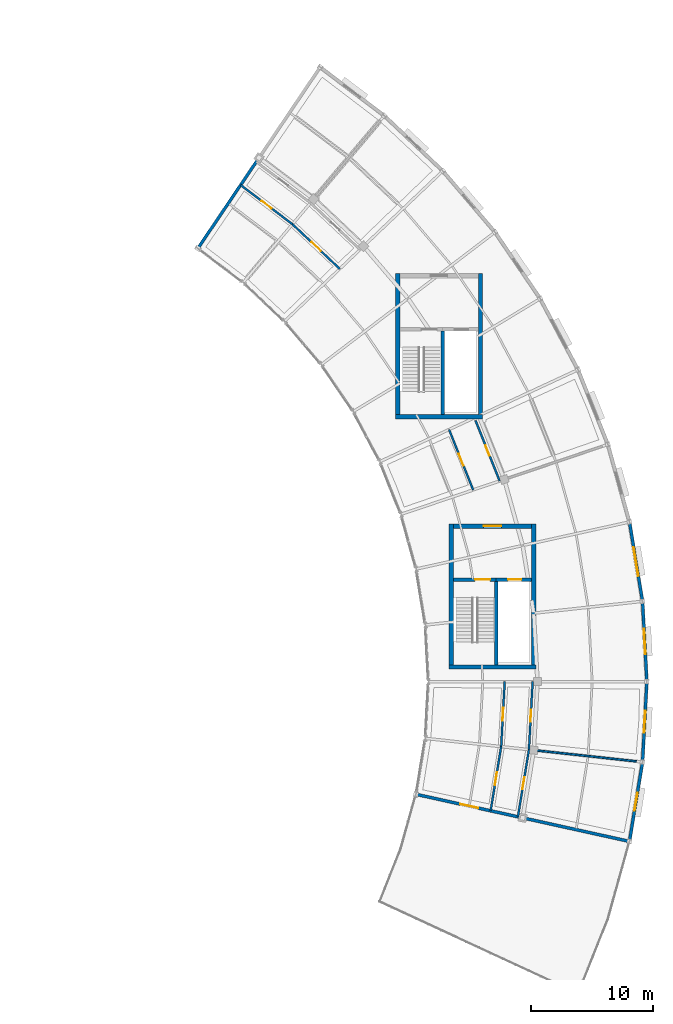
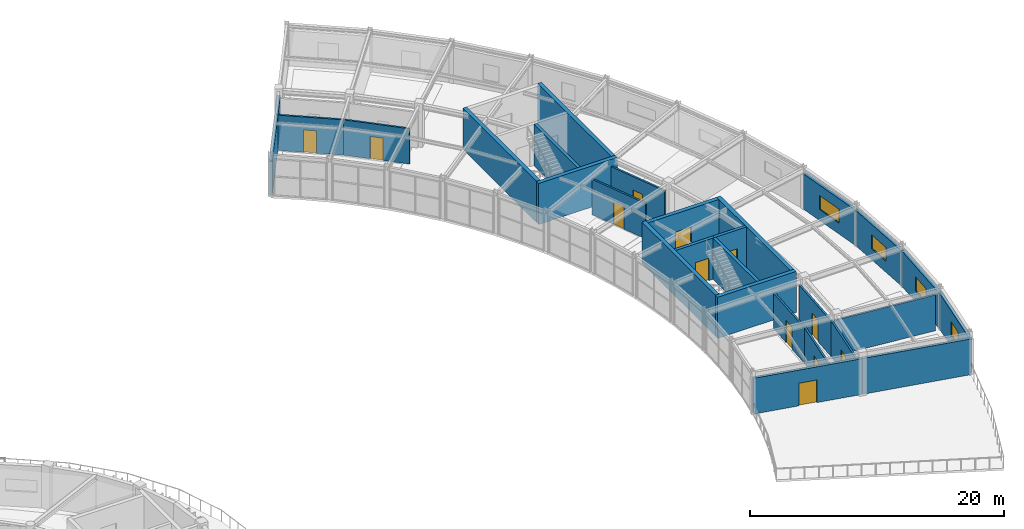
# One storey, part 49 of 63: 27 walls, 12 doors, 4 windows, 16 openings.
"""IFC4 building model written with IfcOpenShell, lengths in metres."""

from ifc_helpers import new_model, si_unit, direction, frame, frame_2d, origin, place, context, subcontext, project, spatial, rectangle, extrude, material, layer, layer_set, type_object, element, fill, save


model = new_model("IFC4")

# Units and contexts
model_context = context("Model", 3, precision=1e-05, world=origin(), true_north=direction((0.0, 1.0)))
body_context = subcontext(model_context, "Body", "Model", "MODEL_VIEW")
ifc_project = project(units=[si_unit("LENGTHUNIT", "METRE"), si_unit("AREAUNIT", "SQUARE_METRE"), si_unit("VOLUMEUNIT", "CUBIC_METRE"), si_unit("PLANEANGLEUNIT", "RADIAN"), si_unit("MASSUNIT", "GRAM", prefix="KILO")], contexts=[model_context])

# Site, building, storey
site_placement = place(None, origin())
site = spatial("IfcSite", under=ifc_project, at=site_placement, CompositionType="ELEMENT")
building_placement = place(site_placement, origin())
building = spatial("IfcBuilding", under=site, at=building_placement, Name="Tarnveldt Headland Concert Hall", CompositionType="ELEMENT")
storey_placement = place(building_placement, frame((0.0, 0.0, 14.39990234375)))
storey = spatial("IfcBuildingStorey", under=building, at=storey_placement, Name="L03", CompositionType="ELEMENT", Elevation=14.39990234375)

# Walls
ifc_material_1 = material(Name="Concrete C40/50", Category="concrete")
ifc_layer_1 = layer(ifc_material_1, 0.35009765625, Name="Concrete C40/50", Category="concrete")
ifc_layer_set_1 = layer_set([ifc_layer_1], Name="Concrete C40/50")
wall_type_1 = type_object("IfcWallType", Name="WL-CR350", PredefinedType="SHEAR", material=ifc_layer_set_1)
wall_1_placement = place(storey_placement, frame((157.824951171875, 81.800048828125, 0.0), z_axis=(0.0, 0.0, 1.0), x_axis=(1.0, 0.0, 0.0)))
element("IfcWall", 1, at=wall_1_placement, inside=storey, type_object=wall_type_1, Name="Core C3 south shear wall L03", PredefinedType="SHEAR", context=body_context, shape_type="SweptSolid", body=[
    extrude(rectangle(XDim=7.150146484375, YDim=0.35009765625, at=frame_2d((3.5751953125, 0.0))), origin(), (0.0, 0.0, 1.0), 3.960205078125),
])
for number, where, z_axis, x_axis, name in (
    (2, (158.0, 81.97509765625, 0.0), (0.0, 0.0, 1.0), (0.0, 1.0, 0.0), "Core C3 west shear wall L03"),
    (3, (164.800048828125, 81.97509765625, 0.0), (0.0, 0.0, 1.0), (0.0, 1.0, 0.0), "Core C3 east shear wall L03"),
):
    element("IfcWall", number, at=place(storey_placement, frame(where, z_axis=z_axis, x_axis=x_axis)), inside=storey, type_object=wall_type_1, Name=name, PredefinedType="SHEAR", context=body_context, shape_type="SweptSolid", body=[
        extrude(rectangle(XDim=11.599853515625, YDim=0.35009765625, at=frame_2d((5.7998046875, 0.0))), origin(), (0.0, 0.0, 1.0), 3.960205078125),
    ])
wall_2_placement = place(storey_placement, frame((162.22509765625, 61.199951171875, 0.0), z_axis=(0.0, 0.0, 1.0), x_axis=(1.0, 0.0, 0.0)))
element("IfcWall", 4, at=wall_2_placement, inside=storey, type_object=wall_type_1, Name="Core C4 south shear wall L03", PredefinedType="SHEAR", context=body_context, shape_type="SweptSolid", body=[
    extrude(rectangle(XDim=7.14990234375, YDim=0.35009765625, at=frame_2d((3.574951171875, 0.0))), origin(), (0.0, 0.0, 1.0), 3.960205078125),
])

# Wall, opening, door
wall_3_placement = place(storey_placement, frame((162.574951171875, 72.800048828125, 0.0), z_axis=(0.0, 0.0, 1.0), x_axis=(1.0, 0.0, 0.0)))
wall_3 = element("IfcWall", 5, at=wall_3_placement, inside=storey, type_object=wall_type_1, Name="Core C4 north shear wall L03", PredefinedType="SHEAR", context=body_context, shape_type="SweptSolid", body=[
    extrude(rectangle(XDim=6.449951171875, YDim=0.35009765625, at=frame_2d((3.22509765625, 0.0))), origin(), (0.0, 0.0, 1.0), 3.960205078125),
])
opening_1_placement = place(wall_3_placement, frame((2.5, 0.0, 0.0)))
opening_1 = element("IfcOpeningElement", 6, at=opening_1_placement, cuts=wall_3, Name="Opening LBD-C4-L03", PredefinedType="OPENING", context=body_context, shape_type="SweptSolid", body=[
    extrude(rectangle(XDim=1.449951171875, YDim=2.199951171875, at=frame_2d((0.72509765625, 1.10009765625))), frame((0.0, 0.18505859375, 0.0), z_axis=(0.0, -1.0, 0.0), x_axis=(1.0, 0.0, 0.0)), (0.0, 0.0, 1.0), 0.3701171875),
])
ifc_material_2 = material(Name="Galvanised painted steel sheet", Category="steel")
door_type_1 = type_object("IfcDoorType", Name="DR-LB145", OperationType="NOTDEFINED", PredefinedType="DOOR", material=ifc_material_2)
door_1_placement = place(opening_1_placement, origin())
door_1 = element("IfcDoor", 7, at=door_1_placement, inside=storey, type_object=door_type_1, Name="Core C4 lobby entrance door L03", OperationType="SINGLE_SWING_RIGHT", OverallHeight=2.199951171875, OverallWidth=1.449951171875, PredefinedType="DOOR", context=body_context, shape_type="SweptSolid", body=[
    extrude(rectangle(XDim=1.449951171875, YDim=2.199951171875, at=frame_2d((0.72509765625, 1.10009765625))), frame((0.0, 0.02490234375, 0.0), z_axis=(0.0, -1.0, 0.0), x_axis=(1.0, 0.0, 0.0)), (0.0, 0.0, 1.0), 0.050048828125),
])
fill(opening_1, door_1)

# Walls
for number, where, z_axis, x_axis, name in (
    (8, (162.39990234375, 61.375, 0.0), (0.0, 0.0, 1.0), (0.0, 1.0, 0.0), "Core C4 west shear wall L03"),
    (9, (169.199951171875, 61.375, 0.0), (0.0, 0.0, 1.0), (0.0, 1.0, 0.0), "Core C4 east shear wall L03"),
):
    element("IfcWall", number, at=place(storey_placement, frame(where, z_axis=z_axis, x_axis=x_axis)), inside=storey, type_object=wall_type_1, Name=name, PredefinedType="SHEAR", context=body_context, shape_type="SweptSolid", body=[
        extrude(rectangle(XDim=11.60009765625, YDim=0.35009765625, at=frame_2d((5.800048828125, 0.0))), origin(), (0.0, 0.0, 1.0), 3.960205078125),
    ])

# Wall, opening, window
ifc_material_3 = material(Name="Coral-toned precast concrete C40/50", Category="concrete")
ifc_layer_2 = layer(ifc_material_3, 0.25, Name="Coral-toned precast concrete C40/50", Category="concrete")
ifc_layer_set_2 = layer_set([ifc_layer_2], Name="Coral-toned precast concrete C40/50")
wall_type_2 = type_object("IfcWallType", Name="WL-EX250", PredefinedType="SOLIDWALL", material=ifc_layer_set_2)
wall_4_placement = place(storey_placement, frame((178.137451171875, 53.368896484375, 0.0), z_axis=(0.0, 0.0, 1.0), x_axis=(-0.162178892589, -0.986761372774, 0.0)))
wall_4 = element("IfcWall", 10, at=wall_4_placement, inside=storey, type_object=wall_type_2, Name="External precast wall L03-148", PredefinedType="SOLIDWALL", context=body_context, shape_type="SweptSolid", body=[
    extrude(rectangle(XDim=6.58154296875, YDim=0.25, at=frame_2d((3.290771484375, 0.0))), origin(), (0.0, 0.0, 1.0), 3.443115234375),
])
opening_2_placement = place(wall_4_placement, frame((2.540771484375, 0.0, 1.050048828125)))
opening_2 = element("IfcOpeningElement", 11, at=opening_2_placement, cuts=wall_4, Name="Opening W-C070", PredefinedType="OPENING", context=body_context, shape_type="SweptSolid", body=[
    extrude(rectangle(XDim=1.5, YDim=1.35009765625, at=frame_2d((0.75, 0.675048828125))), frame((0.0, 0.135009765625, 0.0), z_axis=(0.0, -1.0, 0.0), x_axis=(1.0, 0.0, 0.0)), (0.0, 0.0, 1.0), 0.27001953125),
])
ifc_material_4 = material(Name="Acoustic laminated low-iron double glazing", Category="glass")
window_type_1 = type_object("IfcWindowType", Name="WN-17", PartitioningType="SINGLE_PANEL", PredefinedType="WINDOW", material=ifc_material_4)
window_1_placement = place(opening_2_placement, origin())
window_1 = element("IfcWindow", 12, at=window_1_placement, inside=storey, type_object=window_type_1, Name="Crescent coastal studio window L03-8", OverallHeight=1.35009765625, OverallWidth=1.5, PartitioningType="SINGLE_PANEL", PredefinedType="WINDOW", context=body_context, shape_type="SweptSolid", body=[
    extrude(rectangle(XDim=1.5, YDim=1.35009765625, at=frame_2d((0.75, 0.675048828125))), frame((0.0, 0.030029296875, 0.0), z_axis=(0.0, -1.0, 0.0), x_axis=(1.0, 0.0, 0.0)), (0.0, 0.0, 1.0), 0.06005859375),
])
fill(opening_2, window_1)

wall_5_placement = place(storey_placement, frame((178.498779296875, 59.97998046875, 0.0), z_axis=(0.0, 0.0, 1.0), x_axis=(-0.05427216263, -0.998526180109, 0.0)))
wall_5 = element("IfcWall", 13, at=wall_5_placement, inside=storey, type_object=wall_type_2, Name="External precast wall L03-149", PredefinedType="SOLIDWALL", context=body_context, shape_type="SweptSolid", body=[
    extrude(rectangle(XDim=6.581298828125, YDim=0.25, at=frame_2d((3.29052734375, 0.0))), origin(), (0.0, 0.0, 1.0), 3.398193359375),
])
opening_3_placement = place(wall_5_placement, frame((2.390625, 0.0, 1.050048828125)))
opening_3 = element("IfcOpeningElement", 14, at=opening_3_placement, cuts=wall_5, Name="Opening W-C071", PredefinedType="OPENING", context=body_context, shape_type="SweptSolid", body=[
    extrude(rectangle(XDim=1.800048828125, YDim=1.35009765625, at=frame_2d((0.89990234375, 0.675048828125))), frame((0.0, 0.135009765625, 0.0), z_axis=(0.0, -1.0, 0.0), x_axis=(1.0, 0.0, 0.0)), (0.0, 0.0, 1.0), 0.27001953125),
])
window_type_2 = type_object("IfcWindowType", Name="WN-18", PartitioningType="SINGLE_PANEL", PredefinedType="WINDOW", material=ifc_material_4)
window_2_placement = place(opening_3_placement, origin())
window_2 = element("IfcWindow", 15, at=window_2_placement, inside=storey, type_object=window_type_2, Name="Crescent coastal studio window L03-9", OverallHeight=1.35009765625, OverallWidth=1.800048828125, PartitioningType="SINGLE_PANEL", PredefinedType="WINDOW", context=body_context, shape_type="SweptSolid", body=[
    extrude(rectangle(XDim=1.800048828125, YDim=1.35009765625, at=frame_2d((0.89990234375, 0.675048828125))), frame((0.0, 0.030029296875, 0.0), z_axis=(0.0, -1.0, 0.0), x_axis=(1.0, 0.0, 0.0)), (0.0, 0.0, 1.0), 0.06005859375),
])
fill(opening_3, window_2)

wall_6_placement = place(storey_placement, frame((178.1416015625, 66.591552734375, 0.0), z_axis=(0.0, 0.0, 1.0), x_axis=(0.05427216263, -0.998526180109, 0.0)))
wall_6 = element("IfcWall", 16, at=wall_6_placement, inside=storey, type_object=wall_type_2, Name="External precast wall L03-150", PredefinedType="SOLIDWALL", context=body_context, shape_type="SweptSolid", body=[
    extrude(rectangle(XDim=6.581298828125, YDim=0.25, at=frame_2d((3.29052734375, 0.0))), origin(), (0.0, 0.0, 1.0), 3.398193359375),
])
opening_4_placement = place(wall_6_placement, frame((2.240478515625, 0.0, 1.050048828125)))
opening_4 = element("IfcOpeningElement", 17, at=opening_4_placement, cuts=wall_6, Name="Opening W-C072", PredefinedType="OPENING", context=body_context, shape_type="SweptSolid", body=[
    extrude(rectangle(XDim=2.10009765625, YDim=1.35009765625, at=frame_2d((1.050048828125, 0.675048828125))), frame((0.0, 0.135009765625, 0.0), z_axis=(0.0, -1.0, 0.0), x_axis=(1.0, 0.0, 0.0)), (0.0, 0.0, 1.0), 0.27001953125),
])
window_type_3 = type_object("IfcWindowType", Name="WN-19", PartitioningType="SINGLE_PANEL", PredefinedType="WINDOW", material=ifc_material_4)
window_3_placement = place(opening_4_placement, origin())
window_3 = element("IfcWindow", 18, at=window_3_placement, inside=storey, type_object=window_type_3, Name="Crescent coastal studio window L03-10", OverallHeight=1.35009765625, OverallWidth=2.10009765625, PartitioningType="SINGLE_PANEL", PredefinedType="WINDOW", context=body_context, shape_type="SweptSolid", body=[
    extrude(rectangle(XDim=2.10009765625, YDim=1.35009765625, at=frame_2d((1.050048828125, 0.675048828125))), frame((0.0, 0.030029296875, 0.0), z_axis=(0.0, -1.0, 0.0), x_axis=(1.0, 0.0, 0.0)), (0.0, 0.0, 1.0), 0.06005859375),
])
fill(opening_4, window_3)

wall_7_placement = place(storey_placement, frame((177.070068359375, 73.12548828125, 0.0), z_axis=(0.0, 0.0, 1.0), x_axis=(0.162178892589, -0.986761372774, 0.0)))
wall_7 = element("IfcWall", 19, at=wall_7_placement, inside=storey, type_object=wall_type_2, Name="External precast wall L03-151", PredefinedType="SOLIDWALL", context=body_context, shape_type="SweptSolid", body=[
    extrude(rectangle(XDim=6.58154296875, YDim=0.25, at=frame_2d((3.290771484375, 0.0))), origin(), (0.0, 0.0, 1.0), 3.398193359375),
])
opening_5_placement = place(wall_7_placement, frame((2.0908203125, 0.0, 1.050048828125)))
opening_5 = element("IfcOpeningElement", 20, at=opening_5_placement, cuts=wall_7, Name="Opening W-C073", PredefinedType="OPENING", context=body_context, shape_type="SweptSolid", body=[
    extrude(rectangle(XDim=2.39990234375, YDim=1.35009765625, at=frame_2d((1.199951171875, 0.675048828125))), frame((0.0, 0.135009765625, 0.0), z_axis=(0.0, -1.0, 0.0), x_axis=(1.0, 0.0, 0.0)), (0.0, 0.0, 1.0), 0.27001953125),
])
window_type_4 = type_object("IfcWindowType", Name="WN-20", PartitioningType="SINGLE_PANEL", PredefinedType="WINDOW", material=ifc_material_4)
window_4_placement = place(opening_5_placement, origin())
window_4 = element("IfcWindow", 21, at=window_4_placement, inside=storey, type_object=window_type_4, Name="Crescent coastal studio window L03-11", OverallHeight=1.35009765625, OverallWidth=2.39990234375, PartitioningType="SINGLE_PANEL", PredefinedType="WINDOW", context=body_context, shape_type="SweptSolid", body=[
    extrude(rectangle(XDim=2.39990234375, YDim=1.35009765625, at=frame_2d((1.199951171875, 0.675048828125))), frame((0.0, 0.030029296875, 0.0), z_axis=(0.0, -1.0, 0.0), x_axis=(1.0, 0.0, 0.0)), (0.0, 0.0, 1.0), 0.06005859375),
])
fill(opening_5, window_4)

# Wall, opening, door
wall_8_placement = place(storey_placement, frame((168.2587890625, 48.798583984375, 0.0), z_axis=(0.0, 0.0, 1.0), x_axis=(-0.976503371234, 0.215502125205, 0.0)))
wall_8 = element("IfcWall", 22, at=wall_8_placement, inside=storey, type_object=wall_type_2, Name="External precast wall L03-159", PredefinedType="SOLIDWALL", context=body_context, shape_type="SweptSolid", body=[
    extrude(rectangle(XDim=8.9599609375, YDim=0.25, at=frame_2d((4.47998046875, 0.0))), origin(), (0.0, 0.0, 1.0), 3.443115234375),
])
opening_6_placement = place(wall_8_placement, frame((3.72998046875, 0.0, 0.0)))
opening_6 = element("IfcOpeningElement", 23, at=opening_6_placement, cuts=wall_8, Name="Opening TD-C3", PredefinedType="OPENING", context=body_context, shape_type="SweptSolid", body=[
    extrude(rectangle(XDim=1.5, YDim=2.179931640625, at=frame_2d((0.75, 1.08984375))), frame((0.0, 0.135009765625, 0.0), z_axis=(0.0, -1.0, 0.0), x_axis=(1.0, 0.0, 0.0)), (0.0, 0.0, 1.0), 0.27001953125),
])
ifc_material_5 = material(Name="Marine-anodised aluminium EN AW-6063-T6", Category="aluminium")
door_type_2 = type_object("IfcDoorType", Name="DR-TR150", OperationType="NOTDEFINED", PredefinedType="DOOR", material=ifc_material_5)
door_2_placement = place(opening_6_placement, origin())
door_2 = element("IfcDoor", 24, at=door_2_placement, inside=storey, type_object=door_type_2, Name="Crescent coastal terrace door L03", OperationType="SINGLE_SWING_LEFT", OverallHeight=2.179931640625, OverallWidth=1.5, PredefinedType="DOOR", context=body_context, shape_type="SweptSolid", body=[
    extrude(rectangle(XDim=1.5, YDim=2.179931640625, at=frame_2d((0.75, 1.08984375))), frame((0.0, 0.02490234375, 0.0), z_axis=(0.0, -1.0, 0.0), x_axis=(1.0, 0.0, 0.0)), (0.0, 0.0, 1.0), 0.050048828125),
])
fill(opening_6, door_2)

# Walls
wall_9_placement = place(storey_placement, frame((177.04736328125, 46.859130859375, 0.0), z_axis=(0.0, 0.0, 1.0), x_axis=(-0.976503371234, 0.215502125205, 0.0)))
element("IfcWall", 25, at=wall_9_placement, inside=storey, type_object=wall_type_2, Name="External precast wall L03-160", PredefinedType="SOLIDWALL", context=body_context, shape_type="SweptSolid", body=[
    extrude(rectangle(XDim=8.9599609375, YDim=0.25, at=frame_2d((4.47998046875, 0.0))), origin(), (0.0, 0.0, 1.0), 3.443115234375),
])
wall_10_placement = place(storey_placement, frame((141.556396484375, 95.665283203125, 0.0), z_axis=(0.0, 0.0, 1.0), x_axis=(0.559200466777, 0.829032470991, 0.0)))
element("IfcWall", 26, at=wall_10_placement, inside=storey, type_object=wall_type_2, Name="External precast wall L03-161", PredefinedType="SOLIDWALL", context=body_context, shape_type="SweptSolid", body=[
    extrude(rectangle(XDim=8.960205078125, YDim=0.25, at=frame_2d((4.47998046875, 0.0))), origin(), (0.0, 0.0, 1.0), 3.398193359375),
])
ifc_material_6 = material(Name="Acoustic multi-layer gypsum and mineral-wool partition", Category="gypsum")
ifc_layer_3 = layer(ifc_material_6, 0.14990234375, Name="Acoustic multi-layer gypsum and mineral-wool partition", Category="gypsum")
ifc_layer_set_3 = layer_set([ifc_layer_3], Name="Acoustic multi-layer gypsum and mineral-wool partition")
wall_type_3 = type_object("IfcWallType", Name="WL-PT150", PredefinedType="PARTITIONING", material=ifc_layer_set_3)
wall_11_placement = place(storey_placement, frame((168.994873046875, 54.3857421875, 0.0), z_axis=(0.0, 0.0, 1.0), x_axis=(0.994106851206, -0.108404651128, 0.0)))
element("IfcWall", 27, at=wall_11_placement, inside=storey, type_object=wall_type_3, Name="Interior acoustic partition L03-211", PredefinedType="PARTITIONING", context=body_context, shape_type="SweptSolid", body=[
    extrude(rectangle(XDim=8.699951171875, YDim=0.14990234375, at=frame_2d((4.35009765625, 0.0))), origin(), (0.0, 0.0, 1.0), 3.445068359375),
])

# Wall, opening, door
ifc_layer_4 = layer(ifc_material_6, 0.1650390625, Name="Acoustic multi-layer gypsum and mineral-wool partition", Category="gypsum")
ifc_layer_set_4 = layer_set([ifc_layer_4], Name="Acoustic multi-layer gypsum and mineral-wool partition")
wall_type_4 = type_object("IfcWallType", Name="WL-PT165", PredefinedType="PARTITIONING", material=ifc_layer_set_4)
wall_12_placement = place(storey_placement, frame((165.6416015625, 49.376220703125, 0.0), z_axis=(0.0, 0.0, 1.0), x_axis=(0.162193820857, 0.986758919127, 0.0)))
wall_12 = element("IfcWall", 28, at=wall_12_placement, inside=storey, type_object=wall_type_4, Name="Interior acoustic partition L03-207", PredefinedType="PARTITIONING", context=body_context, shape_type="SweptSolid", body=[
    extrude(rectangle(XDim=5.35107421875, YDim=0.1650390625, at=frame_2d((2.675537109375, 0.0))), origin(), (0.0, 0.0, 1.0), 3.445068359375),
])
opening_7_placement = place(wall_12_placement, frame((2.150634765625, 0.0, 0.0)))
opening_7 = element("IfcOpeningElement", 29, at=opening_7_placement, cuts=wall_12, Name="Opening D-L03-211", PredefinedType="OPENING", context=body_context, shape_type="SweptSolid", body=[
    extrude(rectangle(XDim=1.050048828125, YDim=2.14990234375, at=frame_2d((0.52490234375, 1.074951171875))), frame((0.0, 0.092529296875, 0.0), z_axis=(0.0, -1.0, 0.0), x_axis=(1.0, 0.0, 0.0)), (0.0, 0.0, 1.0), 0.18505859375),
])
ifc_material_7 = material(Name="Treated East African mvule hardwood", Category="wood")
door_type_3 = type_object("IfcDoorType", Name="DR-RM105", OperationType="NOTDEFINED", PredefinedType="DOOR", material=ifc_material_7)
door_3_placement = place(opening_7_placement, origin())
door_3 = element("IfcDoor", 30, at=door_3_placement, inside=storey, type_object=door_type_3, Name="Interior room door L03-211", OperationType="SINGLE_SWING_LEFT", OverallHeight=2.14990234375, OverallWidth=1.050048828125, PredefinedType="DOOR", context=body_context, shape_type="SweptSolid", body=[
    extrude(rectangle(XDim=1.050048828125, YDim=2.14990234375, at=frame_2d((0.52490234375, 1.074951171875))), frame((0.0, 0.02490234375, 0.0), z_axis=(0.0, -1.0, 0.0), x_axis=(1.0, 0.0, 0.0)), (0.0, 0.0, 1.0), 0.050048828125),
])
fill(opening_7, door_3)

wall_13_placement = place(storey_placement, frame((167.8876953125, 48.880615234375, 0.0), z_axis=(0.0, 0.0, 1.0), x_axis=(0.162157760567, 0.986764845689, 0.0)))
wall_13 = element("IfcWall", 31, at=wall_13_placement, inside=storey, type_object=wall_type_4, Name="Interior acoustic partition L03-208", PredefinedType="PARTITIONING", context=body_context, shape_type="SweptSolid", body=[
    extrude(rectangle(XDim=5.600830078125, YDim=0.1650390625, at=frame_2d((2.80029296875, 0.0))), origin(), (0.0, 0.0, 1.0), 3.445068359375),
])
opening_8_placement = place(wall_13_placement, frame((2.30029296875, 0.0, 0.0)))
opening_8 = element("IfcOpeningElement", 32, at=opening_8_placement, cuts=wall_13, Name="Opening D-L03-212", PredefinedType="OPENING", context=body_context, shape_type="SweptSolid", body=[
    extrude(rectangle(XDim=1.0, YDim=2.1201171875, at=frame_2d((0.5, 1.06005859375))), frame((0.0, 0.092529296875, 0.0), z_axis=(0.0, -1.0, 0.0), x_axis=(1.0, 0.0, 0.0)), (0.0, 0.0, 1.0), 0.18505859375),
])
door_type_4 = type_object("IfcDoorType", Name="DR-RM100", OperationType="NOTDEFINED", PredefinedType="DOOR", material=ifc_material_7)
door_4_placement = place(opening_8_placement, origin())
door_4 = element("IfcDoor", 33, at=door_4_placement, inside=storey, type_object=door_type_4, Name="Interior room door L03-212", OperationType="SINGLE_SWING_RIGHT", OverallHeight=2.1201171875, OverallWidth=1.0, PredefinedType="DOOR", context=body_context, shape_type="SweptSolid", body=[
    extrude(rectangle(XDim=1.0, YDim=2.1201171875, at=frame_2d((0.5, 1.06005859375))), frame((0.0, 0.02490234375, 0.0), z_axis=(0.0, -1.0, 0.0), x_axis=(1.0, 0.0, 0.0)), (0.0, 0.0, 1.0), 0.050048828125),
])
fill(opening_8, door_4)

wall_14_placement = place(storey_placement, frame((166.509521484375, 54.656494140625, 0.0), z_axis=(0.0, 0.0, 1.0), x_axis=(0.054289989542, 0.998525211016, 0.0)))
wall_14 = element("IfcWall", 34, at=wall_14_placement, inside=storey, type_object=wall_type_4, Name="Interior acoustic partition L03-209", PredefinedType="PARTITIONING", context=body_context, shape_type="SweptSolid", body=[
    extrude(rectangle(XDim=5.351318359375, YDim=0.1650390625, at=frame_2d((2.67578125, 0.0))), origin(), (0.0, 0.0, 1.0), 3.400146484375),
])
opening_9_placement = place(wall_14_placement, frame((2.150634765625, 0.0, 0.0)))
opening_9 = element("IfcOpeningElement", 35, at=opening_9_placement, cuts=wall_14, Name="Opening D-L03-213", PredefinedType="OPENING", context=body_context, shape_type="SweptSolid", body=[
    extrude(rectangle(XDim=1.050048828125, YDim=2.14990234375, at=frame_2d((0.52490234375, 1.074951171875))), frame((0.0, 0.092529296875, 0.0), z_axis=(0.0, -1.0, 0.0), x_axis=(1.0, 0.0, 0.0)), (0.0, 0.0, 1.0), 0.18505859375),
])
door_5_placement = place(opening_9_placement, origin())
door_5 = element("IfcDoor", 36, at=door_5_placement, inside=storey, type_object=door_type_3, Name="Interior room door L03-213", OperationType="SINGLE_SWING_LEFT", OverallHeight=2.14990234375, OverallWidth=1.050048828125, PredefinedType="DOOR", context=body_context, shape_type="SweptSolid", body=[
    extrude(rectangle(XDim=1.050048828125, YDim=2.14990234375, at=frame_2d((0.52490234375, 1.074951171875))), frame((0.0, 0.02490234375, 0.0), z_axis=(0.0, -1.0, 0.0), x_axis=(1.0, 0.0, 0.0)), (0.0, 0.0, 1.0), 0.050048828125),
])
fill(opening_9, door_5)

wall_15_placement = place(storey_placement, frame((168.7958984375, 54.4072265625, 0.0), z_axis=(0.0, 0.0, 1.0), x_axis=(0.054311200267, 0.99852405756, 0.0)))
wall_15 = element("IfcWall", 37, at=wall_15_placement, inside=storey, type_object=wall_type_4, Name="Interior acoustic partition L03-210", PredefinedType="PARTITIONING", context=body_context, shape_type="SweptSolid", body=[
    extrude(rectangle(XDim=5.60107421875, YDim=0.1650390625, at=frame_2d((2.800537109375, 0.0))), origin(), (0.0, 0.0, 1.0), 3.400146484375),
])
opening_10_placement = place(wall_15_placement, frame((2.300537109375, 0.0, 0.0)))
opening_10 = element("IfcOpeningElement", 38, at=opening_10_placement, cuts=wall_15, Name="Opening D-L03-214", PredefinedType="OPENING", context=body_context, shape_type="SweptSolid", body=[
    extrude(rectangle(XDim=1.0, YDim=2.1201171875, at=frame_2d((0.5, 1.06005859375))), frame((0.0, 0.092529296875, 0.0), z_axis=(0.0, -1.0, 0.0), x_axis=(1.0, 0.0, 0.0)), (0.0, 0.0, 1.0), 0.18505859375),
])
door_6_placement = place(opening_10_placement, origin())
door_6 = element("IfcDoor", 39, at=door_6_placement, inside=storey, type_object=door_type_4, Name="Interior room door L03-214", OperationType="SINGLE_SWING_RIGHT", OverallHeight=2.1201171875, OverallWidth=1.0, PredefinedType="DOOR", context=body_context, shape_type="SweptSolid", body=[
    extrude(rectangle(XDim=1.0, YDim=2.1201171875, at=frame_2d((0.5, 1.06005859375))), frame((0.0, 0.02490234375, 0.0), z_axis=(0.0, -1.0, 0.0), x_axis=(1.0, 0.0, 0.0)), (0.0, 0.0, 1.0), 0.050048828125),
])
fill(opening_10, door_6)

wall_16_placement = place(storey_placement, frame((164.206787109375, 75.779052734375, 0.0), z_axis=(0.0, 0.0, 1.0), x_axis=(-0.371052411724, 0.92861192527, 0.0)))
wall_16 = element("IfcWall", 40, at=wall_16_placement, inside=storey, type_object=wall_type_4, Name="Interior acoustic partition L03-212", PredefinedType="PARTITIONING", context=body_context, shape_type="SweptSolid", body=[
    extrude(rectangle(XDim=5.351318359375, YDim=0.1650390625, at=frame_2d((2.67578125, 0.0))), origin(), (0.0, 0.0, 1.0), 3.400146484375),
])
opening_11_placement = place(wall_16_placement, frame((2.150634765625, 0.0, 0.0)))
opening_11 = element("IfcOpeningElement", 41, at=opening_11_placement, cuts=wall_16, Name="Opening D-L03-215", PredefinedType="OPENING", context=body_context, shape_type="SweptSolid", body=[
    extrude(rectangle(XDim=1.050048828125, YDim=2.14990234375, at=frame_2d((0.52490234375, 1.074951171875))), frame((0.0, 0.092529296875, 0.0), z_axis=(0.0, -1.0, 0.0), x_axis=(1.0, 0.0, 0.0)), (0.0, 0.0, 1.0), 0.18505859375),
])
door_7_placement = place(opening_11_placement, origin())
door_7 = element("IfcDoor", 42, at=door_7_placement, inside=storey, type_object=door_type_3, Name="Interior room door L03-215", OperationType="SINGLE_SWING_LEFT", OverallHeight=2.14990234375, OverallWidth=1.050048828125, PredefinedType="DOOR", context=body_context, shape_type="SweptSolid", body=[
    extrude(rectangle(XDim=1.050048828125, YDim=2.14990234375, at=frame_2d((0.52490234375, 1.074951171875))), frame((0.0, 0.02490234375, 0.0), z_axis=(0.0, -1.0, 0.0), x_axis=(1.0, 0.0, 0.0)), (0.0, 0.0, 1.0), 0.050048828125),
])
fill(opening_11, door_7)

wall_17_placement = place(storey_placement, frame((166.3857421875, 76.51513671875, 0.0), z_axis=(0.0, 0.0, 1.0), x_axis=(-0.370990720389, 0.928636573362, 0.0)))
wall_17 = element("IfcWall", 43, at=wall_17_placement, inside=storey, type_object=wall_type_4, Name="Interior acoustic partition L03-213", PredefinedType="PARTITIONING", context=body_context, shape_type="SweptSolid", body=[
    extrude(rectangle(XDim=5.367919921875, YDim=0.1650390625, at=frame_2d((2.68408203125, 0.0))), origin(), (0.0, 0.0, 1.0), 3.400146484375),
])
opening_12_placement = place(wall_17_placement, frame((2.223876953125, 0.0, 0.0)))
opening_12 = element("IfcOpeningElement", 44, at=opening_12_placement, cuts=wall_17, Name="Opening D-L03-216", PredefinedType="OPENING", context=body_context, shape_type="SweptSolid", body=[
    extrude(rectangle(XDim=0.919921875, YDim=2.10009765625, at=frame_2d((0.4599609375, 1.050048828125))), frame((0.0, 0.092529296875, 0.0), z_axis=(0.0, -1.0, 0.0), x_axis=(1.0, 0.0, 0.0)), (0.0, 0.0, 1.0), 0.18505859375),
])
door_type_5 = type_object("IfcDoorType", Name="DR-WC092", OperationType="NOTDEFINED", PredefinedType="DOOR", material=ifc_material_7)
door_8_placement = place(opening_12_placement, origin())
door_8 = element("IfcDoor", 45, at=door_8_placement, inside=storey, type_object=door_type_5, Name="Interior room door L03-216", OperationType="SINGLE_SWING_RIGHT", OverallHeight=2.10009765625, OverallWidth=0.919921875, PredefinedType="DOOR", context=body_context, shape_type="SweptSolid", body=[
    extrude(rectangle(XDim=0.919921875, YDim=2.10009765625, at=frame_2d((0.4599609375, 1.050048828125))), frame((0.0, 0.02490234375, 0.0), z_axis=(0.0, -1.0, 0.0), x_axis=(1.0, 0.0, 0.0)), (0.0, 0.0, 1.0), 0.050048828125),
])
fill(opening_12, door_8)

wall_18_placement = place(storey_placement, frame((153.22802734375, 93.970458984375, 0.0), z_axis=(0.0, 0.0, 1.0), x_axis=(-0.7273609966, 0.68625504051, 0.0)))
wall_18 = element("IfcWall", 46, at=wall_18_placement, inside=storey, type_object=wall_type_4, Name="Interior acoustic partition L03-215", PredefinedType="PARTITIONING", context=body_context, shape_type="SweptSolid", body=[
    extrude(rectangle(XDim=5.351318359375, YDim=0.1650390625, at=frame_2d((2.67578125, 0.0))), origin(), (0.0, 0.0, 1.0), 3.400146484375),
])
opening_13_placement = place(wall_18_placement, frame((2.150634765625, 0.0, 0.0)))
opening_13 = element("IfcOpeningElement", 47, at=opening_13_placement, cuts=wall_18, Name="Opening D-L03-217", PredefinedType="OPENING", context=body_context, shape_type="SweptSolid", body=[
    extrude(rectangle(XDim=1.050048828125, YDim=2.14990234375, at=frame_2d((0.52490234375, 1.074951171875))), frame((0.0, 0.092529296875, 0.0), z_axis=(0.0, -1.0, 0.0), x_axis=(1.0, 0.0, 0.0)), (0.0, 0.0, 1.0), 0.18505859375),
])
door_9_placement = place(opening_13_placement, origin())
door_9 = element("IfcDoor", 48, at=door_9_placement, inside=storey, type_object=door_type_3, Name="Interior room door L03-217", OperationType="SINGLE_SWING_LEFT", OverallHeight=2.14990234375, OverallWidth=1.050048828125, PredefinedType="DOOR", context=body_context, shape_type="SweptSolid", body=[
    extrude(rectangle(XDim=1.050048828125, YDim=2.14990234375, at=frame_2d((0.52490234375, 1.074951171875))), frame((0.0, 0.02490234375, 0.0), z_axis=(0.0, -1.0, 0.0), x_axis=(1.0, 0.0, 0.0)), (0.0, 0.0, 1.0), 0.050048828125),
])
fill(opening_13, door_9)

wall_19_placement = place(storey_placement, frame((149.335693359375, 97.642822265625, 0.0), z_axis=(0.0, 0.0, 1.0), x_axis=(-0.797474612376, 0.603352502784, 0.0)))
wall_19 = element("IfcWall", 49, at=wall_19_placement, inside=storey, type_object=wall_type_4, Name="Interior acoustic partition L03-217", PredefinedType="PARTITIONING", context=body_context, shape_type="SweptSolid", body=[
    extrude(rectangle(XDim=5.351318359375, YDim=0.1650390625, at=frame_2d((2.67578125, 0.0))), origin(), (0.0, 0.0, 1.0), 3.400146484375),
])
opening_14_placement = place(wall_19_placement, frame((2.150634765625, 0.0, 0.0)))
opening_14 = element("IfcOpeningElement", 50, at=opening_14_placement, cuts=wall_19, Name="Opening D-L03-219", PredefinedType="OPENING", context=body_context, shape_type="SweptSolid", body=[
    extrude(rectangle(XDim=1.050048828125, YDim=2.14990234375, at=frame_2d((0.52490234375, 1.074951171875))), frame((0.0, 0.092529296875, 0.0), z_axis=(0.0, -1.0, 0.0), x_axis=(1.0, 0.0, 0.0)), (0.0, 0.0, 1.0), 0.18505859375),
])
door_10_placement = place(opening_14_placement, origin())
door_10 = element("IfcDoor", 51, at=door_10_placement, inside=storey, type_object=door_type_3, Name="Interior room door L03-219", OperationType="SINGLE_SWING_LEFT", OverallHeight=2.14990234375, OverallWidth=1.050048828125, PredefinedType="DOOR", context=body_context, shape_type="SweptSolid", body=[
    extrude(rectangle(XDim=1.050048828125, YDim=2.14990234375, at=frame_2d((0.52490234375, 1.074951171875))), frame((0.0, 0.02490234375, 0.0), z_axis=(0.0, -1.0, 0.0), x_axis=(1.0, 0.0, 0.0)), (0.0, 0.0, 1.0), 0.050048828125),
])
fill(opening_14, door_10)

# Walls
ifc_layer_5 = layer(ifc_material_1, 0.27490234375, Name="Concrete C40/50", Category="concrete")
ifc_layer_set_5 = layer_set([ifc_layer_5], Name="Concrete C40/50")
wall_type_5 = type_object("IfcWallType", Name="WL-SH275", PredefinedType="SHEAR", material=ifc_layer_set_5)
for number, where, z_axis, x_axis, name in (
    (52, (161.699951171875, 81.97509765625, 0.0), (0.0, 0.0, 1.0), (0.0, 1.0, 0.0), "Core C3 shaft divider wall L03"),
    (53, (166.10009765625, 61.375, 0.0), (0.0, 0.0, 1.0), (0.0, 1.0, 0.0), "Core C4 shaft divider wall L03"),
):
    element("IfcWall", number, at=place(storey_placement, frame(where, z_axis=z_axis, x_axis=x_axis)), inside=storey, type_object=wall_type_5, Name=name, PredefinedType="SHEAR", context=body_context, shape_type="SweptSolid", body=[
        extrude(rectangle(XDim=6.887451171875, YDim=0.27490234375, at=frame_2d((3.44384765625, 0.0))), origin(), (0.0, 0.0, 1.0), 3.960205078125),
    ])

# Wall, opening, door
wall_20_placement = place(storey_placement, frame((162.574951171875, 68.39990234375, 0.0), z_axis=(0.0, 0.0, 1.0), x_axis=(1.0, 0.0, 0.0)))
wall_20 = element("IfcWall", 54, at=wall_20_placement, inside=storey, type_object=wall_type_5, Name="Core C4 stair enclosure wall L03", PredefinedType="SHEAR", context=body_context, shape_type="SweptSolid", body=[
    extrude(rectangle(XDim=3.525146484375, YDim=0.27490234375, at=frame_2d((1.7626953125, 0.0))), origin(), (0.0, 0.0, 1.0), 3.960205078125),
])
opening_15_placement = place(wall_20_placement, frame((1.784912109375, 0.0, 0.0)))
opening_15 = element("IfcOpeningElement", 55, at=opening_15_placement, cuts=wall_20, Name="Opening SD-C4-L03", PredefinedType="OPENING", context=body_context, shape_type="SweptSolid", body=[
    extrude(rectangle(XDim=1.25, YDim=2.14990234375, at=frame_2d((0.625, 1.074951171875))), frame((0.0, 0.1474609375, 0.0), z_axis=(0.0, -1.0, 0.0), x_axis=(1.0, 0.0, 0.0)), (0.0, 0.0, 1.0), 0.294921875),
])
door_type_6 = type_object("IfcDoorType", Name="DR-ST125", OperationType="NOTDEFINED", PredefinedType="DOOR", material=ifc_material_2)
door_11_placement = place(opening_15_placement, origin())
door_11 = element("IfcDoor", 56, at=door_11_placement, inside=storey, type_object=door_type_6, Name="Core C4 stair fire door L03", OperationType="SINGLE_SWING_RIGHT", OverallHeight=2.14990234375, OverallWidth=1.25, PredefinedType="DOOR", context=body_context, shape_type="SweptSolid", body=[
    extrude(rectangle(XDim=1.25, YDim=2.14990234375, at=frame_2d((0.625, 1.074951171875))), frame((0.0, 0.02490234375, 0.0), z_axis=(0.0, -1.0, 0.0), x_axis=(1.0, 0.0, 0.0)), (0.0, 0.0, 1.0), 0.050048828125),
])
fill(opening_15, door_11)

wall_21_placement = place(storey_placement, frame((166.10009765625, 68.39990234375, 0.0), z_axis=(0.0, 0.0, 1.0), x_axis=(1.0, 0.0, 0.0)))
wall_21 = element("IfcWall", 57, at=wall_21_placement, inside=storey, type_object=wall_type_5, Name="Core C4 lift shaft front wall L03", PredefinedType="SHEAR", context=body_context, shape_type="SweptSolid", body=[
    extrude(rectangle(XDim=2.9248046875, YDim=0.27490234375, at=frame_2d((1.46240234375, 0.0))), origin(), (0.0, 0.0, 1.0), 3.960205078125),
])
opening_16_placement = place(wall_21_placement, frame((0.982421875, 0.0, 0.0)))
opening_16 = element("IfcOpeningElement", 58, at=opening_16_placement, cuts=wall_21, Name="Opening LD-LP-04-L03", PredefinedType="OPENING", context=body_context, shape_type="SweptSolid", body=[
    extrude(rectangle(XDim=1.10009765625, YDim=2.14990234375, at=frame_2d((0.550048828125, 1.074951171875))), frame((0.0, 0.1474609375, 0.0), z_axis=(0.0, -1.0, 0.0), x_axis=(1.0, 0.0, 0.0)), (0.0, 0.0, 1.0), 0.294921875),
])
door_type_7 = type_object("IfcDoorType", Name="LD-110", OperationType="NOTDEFINED", PredefinedType="DOOR", material=ifc_material_2)
door_12_placement = place(opening_16_placement, origin())
door_12 = element("IfcDoor", 59, at=door_12_placement, inside=storey, type_object=door_type_7, Name="Lift LP-04 sliding landing door L03", OperationType="DOUBLE_DOOR_SLIDING", OverallHeight=2.14990234375, OverallWidth=1.10009765625, PredefinedType="DOOR", context=body_context, shape_type="SweptSolid", body=[
    extrude(rectangle(XDim=1.10009765625, YDim=2.14990234375, at=frame_2d((0.550048828125, 1.074951171875))), frame((0.0, 0.02490234375, 0.0), z_axis=(0.0, -1.0, 0.0), x_axis=(1.0, 0.0, 0.0)), (0.0, 0.0, 1.0), 0.050048828125),
])
fill(opening_16, door_12)

save(model, "model.ifc")
